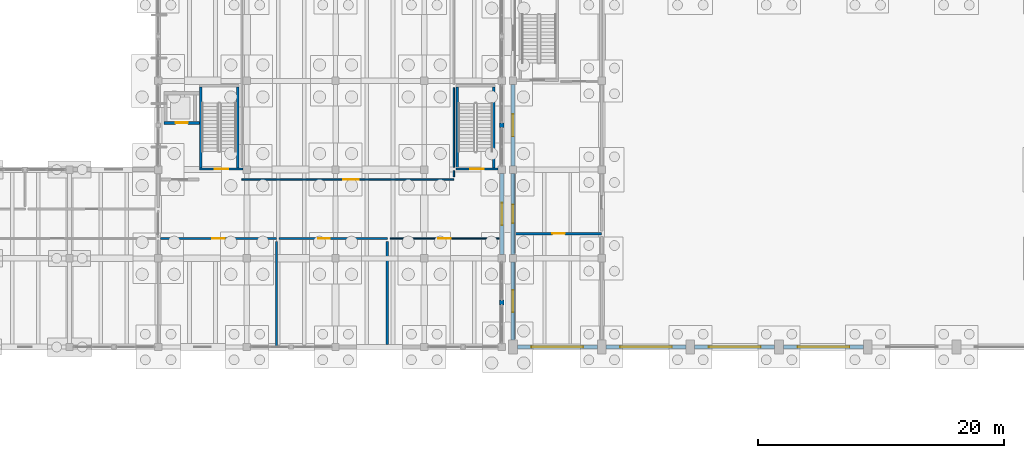
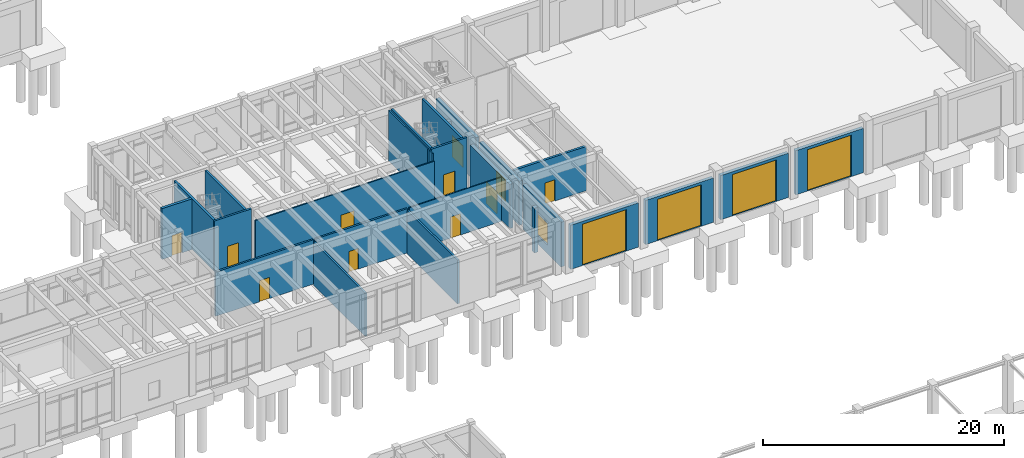
# One storey, part 64 of 93: 26 walls, 14 doors, 2 windows, 16 openings.
"""IFC4 building model written with IfcOpenShell, lengths in metres."""

from ifc_helpers import new_model, si_unit, direction, frame, frame_2d, origin, place, context, subcontext, project, spatial, rectangle, extrude, material, layer, layer_set, type_object, element, fill, save


model = new_model("IFC4")

# Units and contexts
model_context = context("Model", 3, precision=1e-05, world=origin(), true_north=direction((0.0, 1.0)))
body_context = subcontext(model_context, "Body", "Model", "MODEL_VIEW")
ifc_project = project(units=[si_unit("LENGTHUNIT", "METRE"), si_unit("AREAUNIT", "SQUARE_METRE"), si_unit("VOLUMEUNIT", "CUBIC_METRE"), si_unit("PLANEANGLEUNIT", "RADIAN"), si_unit("MASSUNIT", "GRAM", prefix="KILO")], contexts=[model_context])

# Site, building, storey
site_placement = place(None, origin())
site = spatial("IfcSite", under=ifc_project, at=site_placement, CompositionType="ELEMENT")
building_placement = place(site_placement, origin())
building = spatial("IfcBuilding", under=site, at=building_placement, Name="Koriwan Promenade Central Fire Station", CompositionType="ELEMENT")
storey_placement = place(building_placement, origin())
storey = spatial("IfcBuildingStorey", under=building, at=storey_placement, Name="L00", CompositionType="ELEMENT", Elevation=0.0)

# Walls
ifc_material_1 = material(Name="Natural sillar sandstone ashlar", Category="masonry")
ifc_layer_1 = layer(ifc_material_1, 0.360107421875, Name="Natural sillar sandstone ashlar")
ifc_layer_set_1 = layer_set([ifc_layer_1], Name="Natural sillar sandstone ashlar")
wall_type_1 = type_object("IfcWallType", Name="ExtWall_SillarBase_360", PredefinedType="SOLIDWALL", material=ifc_layer_set_1)
for number, where, z_axis, x_axis, name in (
    (1, (56.699951171875, 61.39990234375, 0.0), (0.0, 0.0, 1.0), (0.0, -1.0, 0.0), "V4 L00 sillar facade mullion pier 166"),
    (2, (56.699951171875, 47.0, 0.0), (0.0, 0.0, 1.0), (0.0, -1.0, 0.0), "V4 L00 sillar facade mullion pier 168"),
):
    element("IfcWall", number, at=place(storey_placement, frame(where, z_axis=z_axis, x_axis=x_axis)), inside=storey, type_object=wall_type_1, Name=name, PredefinedType="SOLIDWALL", context=body_context, shape_type="SweptSolid", body=[
        extrude(rectangle(XDim=0.39990234375, YDim=0.360107421875, at=frame_2d((0.199951171875, 0.0))), origin(), (0.0, 0.0, 1.0), 4.5400390625),
    ])

# Wall, opening, door
ifc_material_2 = material(Name="Precast concrete C40/50", Category="concrete")
ifc_layer_2 = layer(ifc_material_2, 0.320068359375, Name="Precast concrete C40/50")
ifc_layer_set_2 = layer_set([ifc_layer_2], Name="Precast concrete C40/50")
wall_type_2 = type_object("IfcWallType", Name="ExtWall_Terracotta_320", PredefinedType="ELEMENTEDWALL", material=ifc_layer_set_2)
wall_1_placement = place(storey_placement, frame((57.60009765625, 64.5, 0.0), z_axis=(0.0, 0.0, 1.0), x_axis=(0.0, -1.0, 0.0)))
wall_1 = element("IfcWall", 3, at=wall_1_placement, inside=storey, type_object=wall_type_2, Name="V1 L00 exterior wall 14", PredefinedType="ELEMENTEDWALL", context=body_context, shape_type="SweptSolid", body=[
    extrude(rectangle(XDim=6.60009765625, YDim=0.320068359375, at=frame_2d((3.300048828125, 0.0))), origin(), (0.0, 0.0, 1.0), 4.5400390625),
])
opening_1_placement = place(wall_1_placement, frame((2.39990234375, 0.0, 0.0)))
opening_1 = element("IfcOpeningElement", 4, at=opening_1_placement, cuts=wall_1, Name="Opening ED-007", PredefinedType="OPENING", context=body_context, shape_type="SweptSolid", body=[
    extrude(rectangle(XDim=1.800048828125, YDim=2.199951171875, at=frame_2d((0.89990234375, 1.10009765625))), frame((0.0, 0.171875, 0.0), z_axis=(0.0, -1.0, 0.0), x_axis=(1.0, 0.0, 0.0)), (0.0, 0.0, 1.0), 0.343994140625),
])
ifc_material_3 = material(Name="Aluminium EN AW-6063-T6 and laminated safety glass", Category="aluminium")
door_type_1 = type_object("IfcDoorType", Name="ExitDoorDouble_1800x2200", OperationType="DOUBLE_SWING_LEFT", PredefinedType="DOOR", material=ifc_material_3)
door_1_placement = place(opening_1_placement, frame((1.800048828125, 0.0, 0.0), z_axis=(0.0, 0.0, 1.0), x_axis=(-1.0, 0.0, 0.0)))
door_1 = element("IfcDoor", 5, at=door_1_placement, inside=storey, type_object=door_type_1, Name="V1 Final Pedestrian Exit Door ED-007", OperationType="DOUBLE_SWING_LEFT", OverallHeight=2.199951171875, OverallWidth=1.800048828125, PredefinedType="DOOR", context=body_context, shape_type="SweptSolid", body=[
    extrude(rectangle(XDim=1.800048828125, YDim=2.199951171875, at=frame_2d((0.89990234375, 1.10009765625))), frame((0.0, 0.02490234375, 0.0), z_axis=(0.0, -1.0, 0.0), x_axis=(1.0, 0.0, 0.0)), (0.0, 0.0, 1.0), 0.050048828125),
])
fill(opening_1, door_1)

# Wall, opening, window
wall_2_placement = place(storey_placement, frame((57.60009765625, 57.300048828125, 0.0), z_axis=(0.0, 0.0, 1.0), x_axis=(0.0, -1.0, 0.0)))
wall_2 = element("IfcWall", 6, at=wall_2_placement, inside=storey, type_object=wall_type_2, Name="V1 L00 exterior wall 15", PredefinedType="ELEMENTEDWALL", context=body_context, shape_type="SweptSolid", body=[
    extrude(rectangle(XDim=6.60009765625, YDim=0.320068359375, at=frame_2d((3.300048828125, 0.0))), origin(), (0.0, 0.0, 1.0), 4.489990234375),
])
opening_2_placement = place(wall_2_placement, frame((2.550048828125, 0.0, 0.85009765625)))
opening_2 = element("IfcOpeningElement", 7, at=opening_2_placement, cuts=wall_2, Name="Opening W-02", PredefinedType="OPENING", context=body_context, shape_type="SweptSolid", body=[
    extrude(rectangle(XDim=1.5, YDim=2.199951171875, at=frame_2d((0.75, 1.10009765625))), frame((0.0, 0.171875, 0.0), z_axis=(0.0, -1.0, 0.0), x_axis=(1.0, 0.0, 0.0)), (0.0, 0.0, 1.0), 0.343994140625),
])
ifc_material_4 = material(Name="Solar-control low-E laminated double glazing", Category="glass")
window_type_1 = type_object("IfcWindowType", Name="Win_Jharokha_1500x2200", PartitioningType="SINGLE_PANEL", PredefinedType="WINDOW", material=ifc_material_4)
window_1_placement = place(opening_2_placement, origin())
window_1 = element("IfcWindow", 8, at=window_1_placement, inside=storey, type_object=window_type_1, Name="V1 L00 window 0005", OverallHeight=2.199951171875, OverallWidth=1.5, PartitioningType="SINGLE_PANEL", PredefinedType="WINDOW", context=body_context, shape_type="SweptSolid", body=[
    extrude(rectangle(XDim=1.5, YDim=2.199951171875, at=frame_2d((0.75, 1.10009765625))), frame((0.0, 0.030029296875, 0.0), z_axis=(0.0, -1.0, 0.0), x_axis=(1.0, 0.0, 0.0)), (0.0, 0.0, 1.0), 0.06005859375),
])
fill(opening_2, window_1)

wall_3_placement = place(storey_placement, frame((57.60009765625, 50.10009765625, 0.0), z_axis=(0.0, 0.0, 1.0), x_axis=(0.0, -1.0, 0.0)))
wall_3 = element("IfcWall", 9, at=wall_3_placement, inside=storey, type_object=wall_type_2, Name="V1 L00 exterior wall 16", PredefinedType="ELEMENTEDWALL", context=body_context, shape_type="SweptSolid", body=[
    extrude(rectangle(XDim=6.35009765625, YDim=0.320068359375, at=frame_2d((3.175048828125, 0.0))), origin(), (0.0, 0.0, 1.0), 4.5400390625),
])
opening_3_placement = place(wall_3_placement, frame((2.27490234375, 0.0, 0.85009765625)))
opening_3 = element("IfcOpeningElement", 10, at=opening_3_placement, cuts=wall_3, Name="Opening W-03", PredefinedType="OPENING", context=body_context, shape_type="SweptSolid", body=[
    extrude(rectangle(XDim=1.800048828125, YDim=2.199951171875, at=frame_2d((0.89990234375, 1.10009765625))), frame((0.0, 0.171875, 0.0), z_axis=(0.0, -1.0, 0.0), x_axis=(1.0, 0.0, 0.0)), (0.0, 0.0, 1.0), 0.343994140625),
])
window_type_2 = type_object("IfcWindowType", Name="Win_Jharokha_1800x2200", PartitioningType="SINGLE_PANEL", PredefinedType="WINDOW", material=ifc_material_4)
window_2_placement = place(opening_3_placement, origin())
window_2 = element("IfcWindow", 11, at=window_2_placement, inside=storey, type_object=window_type_2, Name="V1 L00 window 0006", OverallHeight=2.199951171875, OverallWidth=1.800048828125, PartitioningType="SINGLE_PANEL", PredefinedType="WINDOW", context=body_context, shape_type="SweptSolid", body=[
    extrude(rectangle(XDim=1.800048828125, YDim=2.199951171875, at=frame_2d((0.89990234375, 1.10009765625))), frame((0.0, 0.030029296875, 0.0), z_axis=(0.0, -1.0, 0.0), x_axis=(1.0, 0.0, 0.0)), (0.0, 0.0, 1.0), 0.06005859375),
])
fill(opening_3, window_2)

# Wall, opening, door
wall_4_placement = place(storey_placement, frame((57.949951171875, 43.199951171875, 0.0), z_axis=(0.0, 0.0, 1.0), x_axis=(1.0, 0.0, 0.0)))
wall_4 = element("IfcWall", 12, at=wall_4_placement, inside=storey, type_object=wall_type_2, Name="V1 apparatus bay wall 17", PredefinedType="ELEMENTEDWALL", context=body_context, shape_type="SweptSolid", body=[
    extrude(rectangle(XDim=6.5, YDim=0.320068359375, at=frame_2d((3.25, 0.0))), origin(), (0.0, 0.0, 1.0), 4.489990234375),
])
opening_4_placement = place(wall_4_placement, frame((1.14990234375, 0.0, 0.0)))
opening_4 = element("IfcOpeningElement", 13, at=opening_4_placement, cuts=wall_4, Name="Opening APD-008", PredefinedType="OPENING", context=body_context, shape_type="SweptSolid", body=[
    extrude(rectangle(XDim=4.199951171875, YDim=4.199951171875, at=frame_2d((2.10009765625, 2.10009765625))), frame((0.0, 0.171875, 0.0), z_axis=(0.0, -1.0, 0.0), x_axis=(1.0, 0.0, 0.0)), (0.0, 0.0, 1.0), 0.343994140625),
])
door_type_2 = type_object("IfcDoorType", Name="ApparatusDoor_4200x4200", OperationType="DOUBLE_SWING_LEFT", PredefinedType="DOOR", material=ifc_material_3)
door_2_placement = place(opening_4_placement, frame((4.199951171875, 0.0, 0.0), z_axis=(0.0, 0.0, 1.0), x_axis=(-1.0, 0.0, 0.0)))
door_2 = element("IfcDoor", 14, at=door_2_placement, inside=storey, type_object=door_type_2, Name="Appliance Bay Double-Swing Vehicle Door APD-008", OperationType="DOUBLE_SWING_LEFT", OverallHeight=4.199951171875, OverallWidth=4.199951171875, PredefinedType="DOOR", context=body_context, shape_type="SweptSolid", body=[
    extrude(rectangle(XDim=4.199951171875, YDim=4.199951171875, at=frame_2d((2.10009765625, 2.10009765625))), frame((0.0, 0.02490234375, 0.0), z_axis=(0.0, -1.0, 0.0), x_axis=(1.0, 0.0, 0.0)), (0.0, 0.0, 1.0), 0.050048828125),
])
fill(opening_4, door_2)

wall_5_placement = place(storey_placement, frame((65.14990234375, 43.199951171875, 0.0), z_axis=(0.0, 0.0, 1.0), x_axis=(1.0, 0.0, 0.0)))
wall_5 = element("IfcWall", 15, at=wall_5_placement, inside=storey, type_object=wall_type_2, Name="V1 apparatus bay wall 18", PredefinedType="ELEMENTEDWALL", context=body_context, shape_type="SweptSolid", body=[
    extrude(rectangle(XDim=6.5, YDim=0.320068359375, at=frame_2d((3.25, 0.0))), origin(), (0.0, 0.0, 1.0), 4.489990234375),
])
opening_5_placement = place(wall_5_placement, frame((1.14990234375, 0.0, 0.0)))
opening_5 = element("IfcOpeningElement", 16, at=opening_5_placement, cuts=wall_5, Name="Opening APD-009", PredefinedType="OPENING", context=body_context, shape_type="SweptSolid", body=[
    extrude(rectangle(XDim=4.199951171875, YDim=4.199951171875, at=frame_2d((2.10009765625, 2.10009765625))), frame((0.0, 0.171875, 0.0), z_axis=(0.0, -1.0, 0.0), x_axis=(1.0, 0.0, 0.0)), (0.0, 0.0, 1.0), 0.343994140625),
])
door_3_placement = place(opening_5_placement, frame((4.199951171875, 0.0, 0.0), z_axis=(0.0, 0.0, 1.0), x_axis=(-1.0, 0.0, 0.0)))
door_3 = element("IfcDoor", 17, at=door_3_placement, inside=storey, type_object=door_type_2, Name="Appliance Bay Double-Swing Vehicle Door APD-009", OperationType="DOUBLE_SWING_LEFT", OverallHeight=4.199951171875, OverallWidth=4.199951171875, PredefinedType="DOOR", context=body_context, shape_type="SweptSolid", body=[
    extrude(rectangle(XDim=4.199951171875, YDim=4.199951171875, at=frame_2d((2.10009765625, 2.10009765625))), frame((0.0, 0.02490234375, 0.0), z_axis=(0.0, -1.0, 0.0), x_axis=(1.0, 0.0, 0.0)), (0.0, 0.0, 1.0), 0.050048828125),
])
fill(opening_5, door_3)

wall_6_placement = place(storey_placement, frame((72.35009765625, 43.199951171875, 0.0), z_axis=(0.0, 0.0, 1.0), x_axis=(1.0, 0.0, 0.0)))
wall_6 = element("IfcWall", 18, at=wall_6_placement, inside=storey, type_object=wall_type_2, Name="V1 apparatus bay wall 19", PredefinedType="ELEMENTEDWALL", context=body_context, shape_type="SweptSolid", body=[
    extrude(rectangle(XDim=6.5, YDim=0.320068359375, at=frame_2d((3.25, 0.0))), origin(), (0.0, 0.0, 1.0), 4.489990234375),
])
opening_6_placement = place(wall_6_placement, frame((1.14990234375, 0.0, 0.0)))
opening_6 = element("IfcOpeningElement", 19, at=opening_6_placement, cuts=wall_6, Name="Opening APD-010", PredefinedType="OPENING", context=body_context, shape_type="SweptSolid", body=[
    extrude(rectangle(XDim=4.199951171875, YDim=4.199951171875, at=frame_2d((2.10009765625, 2.10009765625))), frame((0.0, 0.171875, 0.0), z_axis=(0.0, -1.0, 0.0), x_axis=(1.0, 0.0, 0.0)), (0.0, 0.0, 1.0), 0.343994140625),
])
door_4_placement = place(opening_6_placement, frame((4.199951171875, 0.0, 0.0), z_axis=(0.0, 0.0, 1.0), x_axis=(-1.0, 0.0, 0.0)))
door_4 = element("IfcDoor", 20, at=door_4_placement, inside=storey, type_object=door_type_2, Name="Appliance Bay Double-Swing Vehicle Door APD-010", OperationType="DOUBLE_SWING_LEFT", OverallHeight=4.199951171875, OverallWidth=4.199951171875, PredefinedType="DOOR", context=body_context, shape_type="SweptSolid", body=[
    extrude(rectangle(XDim=4.199951171875, YDim=4.199951171875, at=frame_2d((2.10009765625, 2.10009765625))), frame((0.0, 0.02490234375, 0.0), z_axis=(0.0, -1.0, 0.0), x_axis=(1.0, 0.0, 0.0)), (0.0, 0.0, 1.0), 0.050048828125),
])
fill(opening_6, door_4)

wall_7_placement = place(storey_placement, frame((79.550048828125, 43.199951171875, 0.0), z_axis=(0.0, 0.0, 1.0), x_axis=(1.0, 0.0, 0.0)))
wall_7 = element("IfcWall", 21, at=wall_7_placement, inside=storey, type_object=wall_type_2, Name="V1 apparatus bay wall 20", PredefinedType="ELEMENTEDWALL", context=body_context, shape_type="SweptSolid", body=[
    extrude(rectangle(XDim=6.5, YDim=0.320068359375, at=frame_2d((3.25, 0.0))), origin(), (0.0, 0.0, 1.0), 4.489990234375),
])
opening_7_placement = place(wall_7_placement, frame((1.14990234375, 0.0, 0.0)))
opening_7 = element("IfcOpeningElement", 22, at=opening_7_placement, cuts=wall_7, Name="Opening APD-011", PredefinedType="OPENING", context=body_context, shape_type="SweptSolid", body=[
    extrude(rectangle(XDim=4.199951171875, YDim=4.199951171875, at=frame_2d((2.10009765625, 2.10009765625))), frame((0.0, 0.171875, 0.0), z_axis=(0.0, -1.0, 0.0), x_axis=(1.0, 0.0, 0.0)), (0.0, 0.0, 1.0), 0.343994140625),
])
door_5_placement = place(opening_7_placement, frame((4.199951171875, 0.0, 0.0), z_axis=(0.0, 0.0, 1.0), x_axis=(-1.0, 0.0, 0.0)))
door_5 = element("IfcDoor", 23, at=door_5_placement, inside=storey, type_object=door_type_2, Name="Appliance Bay Double-Swing Vehicle Door APD-011", OperationType="DOUBLE_SWING_LEFT", OverallHeight=4.199951171875, OverallWidth=4.199951171875, PredefinedType="DOOR", context=body_context, shape_type="SweptSolid", body=[
    extrude(rectangle(XDim=4.199951171875, YDim=4.199951171875, at=frame_2d((2.10009765625, 2.10009765625))), frame((0.0, 0.02490234375, 0.0), z_axis=(0.0, -1.0, 0.0), x_axis=(1.0, 0.0, 0.0)), (0.0, 0.0, 1.0), 0.050048828125),
])
fill(opening_7, door_5)

wall_8_placement = place(storey_placement, frame((56.699951171875, 57.300048828125, 0.0), z_axis=(0.0, 0.0, 1.0), x_axis=(0.0, -1.0, 0.0)))
wall_8 = element("IfcWall", 24, at=wall_8_placement, inside=storey, type_object=wall_type_2, Name="V4 L00 exterior wall 167", PredefinedType="ELEMENTEDWALL", context=body_context, shape_type="SweptSolid", body=[
    extrude(rectangle(XDim=6.60009765625, YDim=0.320068359375, at=frame_2d((3.300048828125, 0.0))), origin(), (0.0, 0.0, 1.0), 4.489990234375),
])
opening_8_placement = place(wall_8_placement, frame((2.39990234375, 0.0, 0.0)))
opening_8 = element("IfcOpeningElement", 25, at=opening_8_placement, cuts=wall_8, Name="Opening ED-021", PredefinedType="OPENING", context=body_context, shape_type="SweptSolid", body=[
    extrude(rectangle(XDim=1.800048828125, YDim=2.199951171875, at=frame_2d((0.89990234375, 1.10009765625))), frame((0.0, 0.171875, 0.0), z_axis=(0.0, -1.0, 0.0), x_axis=(1.0, 0.0, 0.0)), (0.0, 0.0, 1.0), 0.343994140625),
])
door_6_placement = place(opening_8_placement, origin())
door_6 = element("IfcDoor", 26, at=door_6_placement, inside=storey, type_object=door_type_1, Name="V4 Final Pedestrian Exit Door ED-021", OperationType="DOUBLE_SWING_LEFT", OverallHeight=2.199951171875, OverallWidth=1.800048828125, PredefinedType="DOOR", context=body_context, shape_type="SweptSolid", body=[
    extrude(rectangle(XDim=1.800048828125, YDim=2.199951171875, at=frame_2d((0.89990234375, 1.10009765625))), frame((0.0, 0.02490234375, 0.0), z_axis=(0.0, -1.0, 0.0), x_axis=(1.0, 0.0, 0.0)), (0.0, 0.0, 1.0), 0.050048828125),
])
fill(opening_8, door_6)

ifc_material_5 = material(Name="Gypsum board acoustic stud partition", Category="gypsum")
ifc_layer_3 = layer(ifc_material_5, 0.10009765625, Name="Gypsum board acoustic stud partition")
ifc_layer_set_3 = layer_set([ifc_layer_3], Name="Gypsum board acoustic stud partition")
wall_type_3 = type_object("IfcWallType", Name="IntWall_Drywall_100", PredefinedType="PARTITIONING", material=ifc_layer_set_3)
wall_9_placement = place(storey_placement, frame((47.6201171875, 52.0, 0.0), z_axis=(0.0, 0.0, 1.0), x_axis=(1.0, 0.0, 0.0)))
wall_9 = element("IfcWall", 27, at=wall_9_placement, inside=storey, type_object=wall_type_3, Name="Green Zone Clean Turnout Room partition N", PredefinedType="PARTITIONING", context=body_context, shape_type="SweptSolid", body=[
    extrude(rectangle(XDim=8.85986328125, YDim=0.10009765625, at=frame_2d((4.429931640625, 0.0))), origin(), (0.0, 0.0, 1.0), 4.488037109375),
])
opening_9_placement = place(wall_9_placement, frame((3.929931640625, 0.0, 0.0)))
opening_9 = element("IfcOpeningElement", 28, at=opening_9_placement, cuts=wall_9, Name="Opening D-092", PredefinedType="OPENING", context=body_context, shape_type="SweptSolid", body=[
    extrude(rectangle(XDim=1.0, YDim=2.14990234375, at=frame_2d((0.5, 1.074951171875))), frame((0.0, 0.06201171875, 0.0), z_axis=(0.0, -1.0, 0.0), x_axis=(1.0, 0.0, 0.0)), (0.0, 0.0, 1.0), 0.1240234375),
])
ifc_material_6 = material(Name="Hardwood veneer solid-core timber", Category="wood")
door_type_3 = type_object("IfcDoorType", Name="RoomDoor_Office_1000x2150", OperationType="NOTDEFINED", PredefinedType="DOOR", material=ifc_material_6)
door_7_placement = place(opening_9_placement, origin())
door_7 = element("IfcDoor", 29, at=door_7_placement, inside=storey, type_object=door_type_3, Name="Green Zone Clean Turnout Room Door D-092", OperationType="SINGLE_SWING_RIGHT", OverallHeight=2.14990234375, OverallWidth=1.0, PredefinedType="DOOR", context=body_context, shape_type="SweptSolid", body=[
    extrude(rectangle(XDim=1.0, YDim=2.14990234375, at=frame_2d((0.5, 1.074951171875))), frame((0.0, 0.02490234375, 0.0), z_axis=(0.0, -1.0, 0.0), x_axis=(1.0, 0.0, 0.0)), (0.0, 0.0, 1.0), 0.050048828125),
])
fill(opening_9, door_7)

ifc_layer_4 = layer(ifc_material_5, 0.1201171875, Name="Gypsum board acoustic stud partition")
ifc_layer_set_4 = layer_set([ifc_layer_4], Name="Gypsum board acoustic stud partition")
wall_type_4 = type_object("IfcWallType", Name="IntWall_Drywall_120", PredefinedType="PARTITIONING", material=ifc_layer_set_4)
wall_10_placement = place(storey_placement, frame((35.60009765625, 56.800048828125, 0.0), z_axis=(0.0, 0.0, 1.0), x_axis=(1.0, 0.0, 0.0)))
wall_10 = element("IfcWall", 30, at=wall_10_placement, inside=storey, type_object=wall_type_4, Name="Breathing Apparatus Room and Compressor Lab partition S", PredefinedType="PARTITIONING", context=body_context, shape_type="SweptSolid", body=[
    extrude(rectangle(XDim=17.199951171875, YDim=0.1201171875, at=frame_2d((8.60009765625, 0.0))), origin(), (0.0, 0.0, 1.0), 4.488037109375),
])
opening_10_placement = place(wall_10_placement, frame((8.22509765625, 0.0, 0.0)))
opening_10 = element("IfcOpeningElement", 31, at=opening_10_placement, cuts=wall_10, Name="Opening D-093", PredefinedType="OPENING", context=body_context, shape_type="SweptSolid", body=[
    extrude(rectangle(XDim=1.25, YDim=2.14990234375, at=frame_2d((0.625, 1.074951171875))), frame((0.0, 0.072021484375, 0.0), z_axis=(0.0, -1.0, 0.0), x_axis=(1.0, 0.0, 0.0)), (0.0, 0.0, 1.0), 0.14404296875),
])
door_type_4 = type_object("IfcDoorType", Name="RoomDoor_Lab_1250x2150", OperationType="NOTDEFINED", PredefinedType="DOOR", material=ifc_material_6)
door_8_placement = place(opening_10_placement, origin())
door_8 = element("IfcDoor", 32, at=door_8_placement, inside=storey, type_object=door_type_4, Name="Breathing Apparatus Room and Compressor Lab Door D-093", OperationType="SINGLE_SWING_LEFT", OverallHeight=2.14990234375, OverallWidth=1.25, PredefinedType="DOOR", context=body_context, shape_type="SweptSolid", body=[
    extrude(rectangle(XDim=1.25, YDim=2.14990234375, at=frame_2d((0.625, 1.074951171875))), frame((0.0, 0.02490234375, 0.0), z_axis=(0.0, -1.0, 0.0), x_axis=(1.0, 0.0, 0.0)), (0.0, 0.0, 1.0), 0.050048828125),
])
fill(opening_10, door_8)

# Walls
wall_11_placement = place(storey_placement, frame((52.800048828125, 57.02001953125, 0.0), z_axis=(0.0, 0.0, 1.0), x_axis=(0.0, 1.0, 0.0)))
element("IfcWall", 33, at=wall_11_placement, inside=storey, type_object=wall_type_4, Name="Breathing Apparatus Room and Compressor Lab partition E", PredefinedType="PARTITIONING", context=body_context, shape_type="SweptSolid", body=[
    extrude(rectangle(XDim=0.503662109375, YDim=0.1201171875, at=frame_2d((0.251953125, 0.0))), origin(), (0.0, 0.0, 1.0), 5.1201171875),
])
wall_12_placement = place(storey_placement, frame((52.800048828125, 57.776123046875, 0.0), z_axis=(0.0, 0.0, 1.0), x_axis=(0.0, 1.0, 0.0)))
element("IfcWall", 34, at=wall_12_placement, inside=storey, type_object=wall_type_4, Name="Breathing Apparatus Room and Compressor Lab partition E", PredefinedType="PARTITIONING", context=body_context, shape_type="SweptSolid", body=[
    extrude(rectangle(XDim=6.48779296875, YDim=0.1201171875, at=frame_2d((3.243896484375, 0.0))), origin(), (0.0, 0.0, 1.0), 5.1201171875),
])

# Wall, opening, door
ifc_material_7 = material(Name="Concrete C35/45 compartment wall", Category="concrete")
ifc_layer_5 = layer(ifc_material_7, 0.219970703125, Name="Concrete C35/45 compartment wall")
ifc_layer_set_5 = layer_set([ifc_layer_5], Name="Concrete C35/45 compartment wall")
wall_type_5 = type_object("IfcWallType", Name="IntWall_Plant_220", PredefinedType="STANDARD", material=ifc_layer_set_5)
wall_13_placement = place(storey_placement, frame((57.820068359375, 52.39990234375, 0.0), z_axis=(0.0, 0.0, 1.0), x_axis=(1.0, 0.0, 0.0)))
wall_13 = element("IfcWall", 35, at=wall_13_placement, inside=storey, type_object=wall_type_5, Name="First-Response Pump Appliance Bay partition N", PredefinedType="STANDARD", context=body_context, shape_type="SweptSolid", body=[
    extrude(rectangle(XDim=6.97998046875, YDim=0.219970703125, at=frame_2d((3.489990234375, 0.0))), origin(), (0.0, 0.0, 1.0), 4.488037109375),
])
opening_11_placement = place(wall_13_placement, frame((2.989990234375, 0.0, 0.0)))
opening_11 = element("IfcOpeningElement", 36, at=opening_11_placement, cuts=wall_13, Name="Opening D-073", PredefinedType="OPENING", context=body_context, shape_type="SweptSolid", body=[
    extrude(rectangle(XDim=1.0, YDim=2.14990234375, at=frame_2d((0.5, 1.074951171875))), frame((0.0, 0.1220703125, 0.0), z_axis=(0.0, -1.0, 0.0), x_axis=(1.0, 0.0, 0.0)), (0.0, 0.0, 1.0), 0.243896484375),
])
door_9_placement = place(opening_11_placement, origin())
door_9 = element("IfcDoor", 37, at=door_9_placement, inside=storey, type_object=door_type_3, Name="First-Response Pump Appliance Bay Door D-073", OperationType="SINGLE_SWING_LEFT", OverallHeight=2.14990234375, OverallWidth=1.0, PredefinedType="DOOR", context=body_context, shape_type="SweptSolid", body=[
    extrude(rectangle(XDim=1.0, YDim=2.14990234375, at=frame_2d((0.5, 1.074951171875))), frame((0.0, 0.02490234375, 0.0), z_axis=(0.0, -1.0, 0.0), x_axis=(1.0, 0.0, 0.0)), (0.0, 0.0, 1.0), 0.050048828125),
])
fill(opening_11, door_9)

ifc_material_8 = material(Name="Moisture-resistant sanitary chase wall", Category="gypsum")
ifc_layer_6 = layer(ifc_material_8, 0.179931640625, Name="Moisture-resistant sanitary chase wall")
ifc_layer_set_6 = layer_set([ifc_layer_6], Name="Moisture-resistant sanitary chase wall")
wall_type_6 = type_object("IfcWallType", Name="IntWall_Plumbing_180", PredefinedType="PLUMBINGWALL", material=ifc_layer_set_6)
wall_14_placement = place(storey_placement, frame((28.995849609375, 52.0, 0.0), z_axis=(0.0, 0.0, 1.0), x_axis=(1.0, 0.0, 0.0)))
wall_14 = element("IfcWall", 38, at=wall_14_placement, inside=storey, type_object=wall_type_6, Name="Red Zone Contaminated PPE Wash and Extractor Room partition N", PredefinedType="PLUMBINGWALL", context=body_context, shape_type="SweptSolid", body=[
    extrude(rectangle(XDim=9.404052734375, YDim=0.179931640625, at=frame_2d((4.7021484375, 0.0))), origin(), (0.0, 0.0, 1.0), 4.488037109375),
])
opening_12_placement = place(wall_14_placement, frame((4.2021484375, 0.0, 0.0)))
opening_12 = element("IfcOpeningElement", 39, at=opening_12_placement, cuts=wall_14, Name="Opening D-090", PredefinedType="OPENING", context=body_context, shape_type="SweptSolid", body=[
    extrude(rectangle(XDim=1.0, YDim=2.14990234375, at=frame_2d((0.5, 1.074951171875))), frame((0.0, 0.10205078125, 0.0), z_axis=(0.0, -1.0, 0.0), x_axis=(1.0, 0.0, 0.0)), (0.0, 0.0, 1.0), 0.203857421875),
])
door_10_placement = place(opening_12_placement, origin())
door_10 = element("IfcDoor", 40, at=door_10_placement, inside=storey, type_object=door_type_3, Name="Red Zone Contaminated PPE Wash and Extractor Room Door D-090", OperationType="SINGLE_SWING_RIGHT", OverallHeight=2.14990234375, OverallWidth=1.0, PredefinedType="DOOR", context=body_context, shape_type="SweptSolid", body=[
    extrude(rectangle(XDim=1.0, YDim=2.14990234375, at=frame_2d((0.5, 1.074951171875))), frame((0.0, 0.02490234375, 0.0), z_axis=(0.0, -1.0, 0.0), x_axis=(1.0, 0.0, 0.0)), (0.0, 0.0, 1.0), 0.050048828125),
])
fill(opening_12, door_10)

# Wall
wall_15_placement = place(storey_placement, frame((38.39990234375, 43.199951171875, 0.0), z_axis=(0.0, 0.0, 1.0), x_axis=(0.0, 1.0, 0.0)))
element("IfcWall", 41, at=wall_15_placement, inside=storey, type_object=wall_type_6, Name="Red Zone Contaminated PPE Wash and Extractor Room partition E", PredefinedType="PLUMBINGWALL", context=body_context, shape_type="SweptSolid", body=[
    extrude(rectangle(XDim=8.580078125, YDim=0.179931640625, at=frame_2d((4.2900390625, 0.0))), origin(), (0.0, 0.0, 1.0), 4.387939453125),
])

# Wall, opening, door
wall_16_placement = place(storey_placement, frame((38.6201171875, 52.0, 0.0), z_axis=(0.0, 0.0, 1.0), x_axis=(1.0, 0.0, 0.0)))
wall_16 = element("IfcWall", 42, at=wall_16_placement, inside=storey, type_object=wall_type_6, Name="Yellow Zone Decontamination Room and Showers partition N", PredefinedType="PLUMBINGWALL", context=body_context, shape_type="SweptSolid", body=[
    extrude(rectangle(XDim=8.77978515625, YDim=0.179931640625, at=frame_2d((4.389892578125, 0.0))), origin(), (0.0, 0.0, 1.0), 4.488037109375),
])
opening_13_placement = place(wall_16_placement, frame((3.18994140625, 0.0, 0.0)))
opening_13 = element("IfcOpeningElement", 43, at=opening_13_placement, cuts=wall_16, Name="Opening D-091", PredefinedType="OPENING", context=body_context, shape_type="SweptSolid", body=[
    extrude(rectangle(XDim=0.89990234375, YDim=2.10009765625, at=frame_2d((0.449951171875, 1.050048828125))), frame((0.0, 0.10205078125, 0.0), z_axis=(0.0, -1.0, 0.0), x_axis=(1.0, 0.0, 0.0)), (0.0, 0.0, 1.0), 0.203857421875),
])
ifc_material_9 = material(Name="High-pressure laminate moisture-resistant core", Category="wood")
door_type_5 = type_object("IfcDoorType", Name="RoomDoor_WC_900x2100", OperationType="NOTDEFINED", PredefinedType="DOOR", material=ifc_material_9)
door_11_placement = place(opening_13_placement, origin())
door_11 = element("IfcDoor", 44, at=door_11_placement, inside=storey, type_object=door_type_5, Name="Yellow Zone Decontamination Room and Showers Door D-091", OperationType="SINGLE_SWING_LEFT", OverallHeight=2.10009765625, OverallWidth=0.89990234375, PredefinedType="DOOR", context=body_context, shape_type="SweptSolid", body=[
    extrude(rectangle(XDim=0.89990234375, YDim=2.10009765625, at=frame_2d((0.449951171875, 1.050048828125))), frame((0.0, 0.02490234375, 0.0), z_axis=(0.0, -1.0, 0.0), x_axis=(1.0, 0.0, 0.0)), (0.0, 0.0, 1.0), 0.050048828125),
])
fill(opening_13, door_11)

# Wall
wall_17_placement = place(storey_placement, frame((47.39990234375, 43.419921875, 0.0), z_axis=(0.0, 0.0, 1.0), x_axis=(0.0, 1.0, 0.0)))
element("IfcWall", 45, at=wall_17_placement, inside=storey, type_object=wall_type_6, Name="Yellow Zone Decontamination Room and Showers partition E", PredefinedType="PLUMBINGWALL", context=body_context, shape_type="SweptSolid", body=[
    extrude(rectangle(XDim=8.360107421875, YDim=0.179931640625, at=frame_2d((4.18017578125, 0.0))), origin(), (0.0, 0.0, 1.0), 4.43798828125),
])

# Wall, opening, door
ifc_material_10 = material(Name="Concrete C40/50", Category="concrete")
ifc_layer_7 = layer(ifc_material_10, 0.199951171875, Name="Concrete C40/50")
ifc_layer_set_7 = layer_set([ifc_layer_7], Name="Concrete C40/50")
wall_type_7 = type_object("IfcWallType", Name="ShearWall_200", PredefinedType="SHEAR", material=ifc_layer_set_7)
wall_18_placement = place(storey_placement, frame((32.159912109375, 57.64990234375, 0.0), z_axis=(0.0, 0.0, 1.0), x_axis=(1.0, 0.0, 0.0)))
wall_18 = element("IfcWall", 46, at=wall_18_placement, inside=storey, type_object=wall_type_7, Name="ST18 L00 structural stair wall S", PredefinedType="SHEAR", context=body_context, shape_type="SweptSolid", body=[
    extrude(rectangle(XDim=3.5400390625, YDim=0.199951171875, at=frame_2d((1.77001953125, 0.0))), origin(), (0.0, 0.0, 1.0), 5.14990234375),
])
opening_14_placement = place(wall_18_placement, frame((1.219970703125, 0.0, 0.0)))
opening_14 = element("IfcOpeningElement", 47, at=opening_14_placement, cuts=wall_18, Name="Opening SD-026", PredefinedType="OPENING", context=body_context, shape_type="SweptSolid", body=[
    extrude(rectangle(XDim=1.10009765625, YDim=2.14990234375, at=frame_2d((0.550048828125, 1.074951171875))), frame((0.0, 0.11181640625, 0.0), z_axis=(0.0, -1.0, 0.0), x_axis=(1.0, 0.0, 0.0)), (0.0, 0.0, 1.0), 0.223876953125),
])
ifc_material_11 = material(Name="Painted galvanized fire-door steel", Category="steel")
door_type_6 = type_object("IfcDoorType", Name="FireDoor_Stair_1100x2150", OperationType="NOTDEFINED", PredefinedType="DOOR", material=ifc_material_11)
door_12_placement = place(opening_14_placement, frame((1.10009765625, 0.0, 0.0), z_axis=(0.0, 0.0, 1.0), x_axis=(-1.0, 0.0, 0.0)))
door_12 = element("IfcDoor", 48, at=door_12_placement, inside=storey, type_object=door_type_6, Name="Protected Stair ST18 Fire Door SD-026", OperationType="SINGLE_SWING_LEFT", OverallHeight=2.14990234375, OverallWidth=1.10009765625, PredefinedType="DOOR", context=body_context, shape_type="SweptSolid", body=[
    extrude(rectangle(XDim=1.10009765625, YDim=2.14990234375, at=frame_2d((0.550048828125, 1.074951171875))), frame((0.0, 0.02490234375, 0.0), z_axis=(0.0, -1.0, 0.0), x_axis=(1.0, 0.0, 0.0)), (0.0, 0.0, 1.0), 0.050048828125),
])
fill(opening_14, door_12)

# Walls
for number, where, z_axis, x_axis, name in (
    (49, (32.260009765625, 57.75, 0.0), (0.0, 0.0, 1.0), (0.0, 1.0, 0.0), "ST18 L00 structural stair wall W"),
    (50, (35.25, 57.75, 0.0), (0.0, 0.0, 1.0), (0.0, 1.0, 0.0), "ST18 L00 structural stair wall E"),
):
    element("IfcWall", number, at=place(storey_placement, frame(where, z_axis=z_axis, x_axis=x_axis)), inside=storey, type_object=wall_type_7, Name=name, PredefinedType="SHEAR", context=body_context, shape_type="SweptSolid", body=[
        extrude(rectangle(XDim=6.56005859375, YDim=0.199951171875, at=frame_2d((3.280029296875, 0.0))), origin(), (0.0, 0.0, 1.0), 5.14990234375),
    ])

# Wall, opening, door
wall_19_placement = place(storey_placement, frame((52.97998046875, 57.64990234375, 0.0), z_axis=(0.0, 0.0, 1.0), x_axis=(1.0, 0.0, 0.0)))
wall_19 = element("IfcWall", 51, at=wall_19_placement, inside=storey, type_object=wall_type_7, Name="ST20 L00 structural stair wall S", PredefinedType="SHEAR", context=body_context, shape_type="SweptSolid", body=[
    extrude(rectangle(XDim=3.419921875, YDim=0.199951171875, at=frame_2d((1.7099609375, 0.0))), origin(), (0.0, 0.0, 1.0), 5.14990234375),
])
opening_15_placement = place(wall_19_placement, frame((1.159912109375, 0.0, 0.0)))
opening_15 = element("IfcOpeningElement", 52, at=opening_15_placement, cuts=wall_19, Name="Opening SD-029", PredefinedType="OPENING", context=body_context, shape_type="SweptSolid", body=[
    extrude(rectangle(XDim=1.10009765625, YDim=2.14990234375, at=frame_2d((0.550048828125, 1.074951171875))), frame((0.0, 0.11181640625, 0.0), z_axis=(0.0, -1.0, 0.0), x_axis=(1.0, 0.0, 0.0)), (0.0, 0.0, 1.0), 0.223876953125),
])
door_13_placement = place(opening_15_placement, frame((1.10009765625, 0.0, 0.0), z_axis=(0.0, 0.0, 1.0), x_axis=(-1.0, 0.0, 0.0)))
door_13 = element("IfcDoor", 53, at=door_13_placement, inside=storey, type_object=door_type_6, Name="Protected Stair ST20 Fire Door SD-029", OperationType="SINGLE_SWING_RIGHT", OverallHeight=2.14990234375, OverallWidth=1.10009765625, PredefinedType="DOOR", context=body_context, shape_type="SweptSolid", body=[
    extrude(rectangle(XDim=1.10009765625, YDim=2.14990234375, at=frame_2d((0.550048828125, 1.074951171875))), frame((0.0, 0.02490234375, 0.0), z_axis=(0.0, -1.0, 0.0), x_axis=(1.0, 0.0, 0.0)), (0.0, 0.0, 1.0), 0.050048828125),
])
fill(opening_15, door_13)

# Walls
for number, where, z_axis, x_axis, name in (
    (54, (53.080078125, 57.75, 0.0), (0.0, 0.0, 1.0), (0.0, 1.0, 0.0), "ST20 L00 structural stair wall W"),
    (55, (56.050048828125, 57.75, 0.0), (0.0, 0.0, 1.0), (0.0, 1.0, 0.0), "ST20 L00 structural stair wall E"),
):
    element("IfcWall", number, at=place(storey_placement, frame(where, z_axis=z_axis, x_axis=x_axis)), inside=storey, type_object=wall_type_7, Name=name, PredefinedType="SHEAR", context=body_context, shape_type="SweptSolid", body=[
        extrude(rectangle(XDim=6.5400390625, YDim=0.199951171875, at=frame_2d((3.27001953125, 0.0))), origin(), (0.0, 0.0, 1.0), 5.14990234375),
    ])

# Wall, opening, door
ifc_layer_8 = layer(ifc_material_10, 0.25, Name="Concrete C40/50")
ifc_layer_set_8 = layer_set([ifc_layer_8], Name="Concrete C40/50")
wall_type_8 = type_object("IfcWallType", Name="ShearWall_250", PredefinedType="SHEAR", material=ifc_layer_set_8)
wall_20_placement = place(storey_placement, frame((29.27490234375, 61.39990234375, 0.0), z_axis=(0.0, 0.0, 1.0), x_axis=(1.0, 0.0, 0.0)))
wall_20 = element("IfcWall", 56, at=wall_20_placement, inside=storey, type_object=wall_type_8, Name="LP02 shaft wall S (L00)", PredefinedType="SHEAR", context=body_context, shape_type="SweptSolid", body=[
    extrude(rectangle(XDim=2.885009765625, YDim=0.25, at=frame_2d((1.4423828125, 0.0))), origin(), (0.0, 0.0, 1.0), 5.14990234375),
])
opening_16_placement = place(wall_20_placement, frame((0.9423828125, 0.0, 0.0)))
opening_16 = element("IfcOpeningElement", 57, at=opening_16_placement, cuts=wall_20, Name="Opening LD-LP02-L00", PredefinedType="OPENING", context=body_context, shape_type="SweptSolid", body=[
    extrude(rectangle(XDim=1.0, YDim=2.10009765625, at=frame_2d((0.5, 1.050048828125))), frame((0.0, 0.136962890625, 0.0), z_axis=(0.0, -1.0, 0.0), x_axis=(1.0, 0.0, 0.0)), (0.0, 0.0, 1.0), 0.27392578125),
])
ifc_material_12 = material(Name="Stainless steel 316", Category="steel")
door_type_7 = type_object("IfcDoorType", Name="LiftDoor_Pass_1000x2100", OperationType="SLIDING_TO_RIGHT", PredefinedType="DOOR", material=ifc_material_12)
door_14_placement = place(opening_16_placement, origin())
door_14 = element("IfcDoor", 58, at=door_14_placement, inside=storey, type_object=door_type_7, Name="Lift LP02 Sliding Landing Door LD-LP02-L00", OperationType="SLIDING_TO_RIGHT", OverallHeight=2.10009765625, OverallWidth=1.0, PredefinedType="DOOR", context=body_context, shape_type="SweptSolid", body=[
    extrude(rectangle(XDim=1.0, YDim=2.10009765625, at=frame_2d((0.5, 1.050048828125))), frame((0.0, 0.02490234375, 0.0), z_axis=(0.0, -1.0, 0.0), x_axis=(1.0, 0.0, 0.0)), (0.0, 0.0, 1.0), 0.050048828125),
])
fill(opening_16, door_14)

save(model, "model.ifc")
